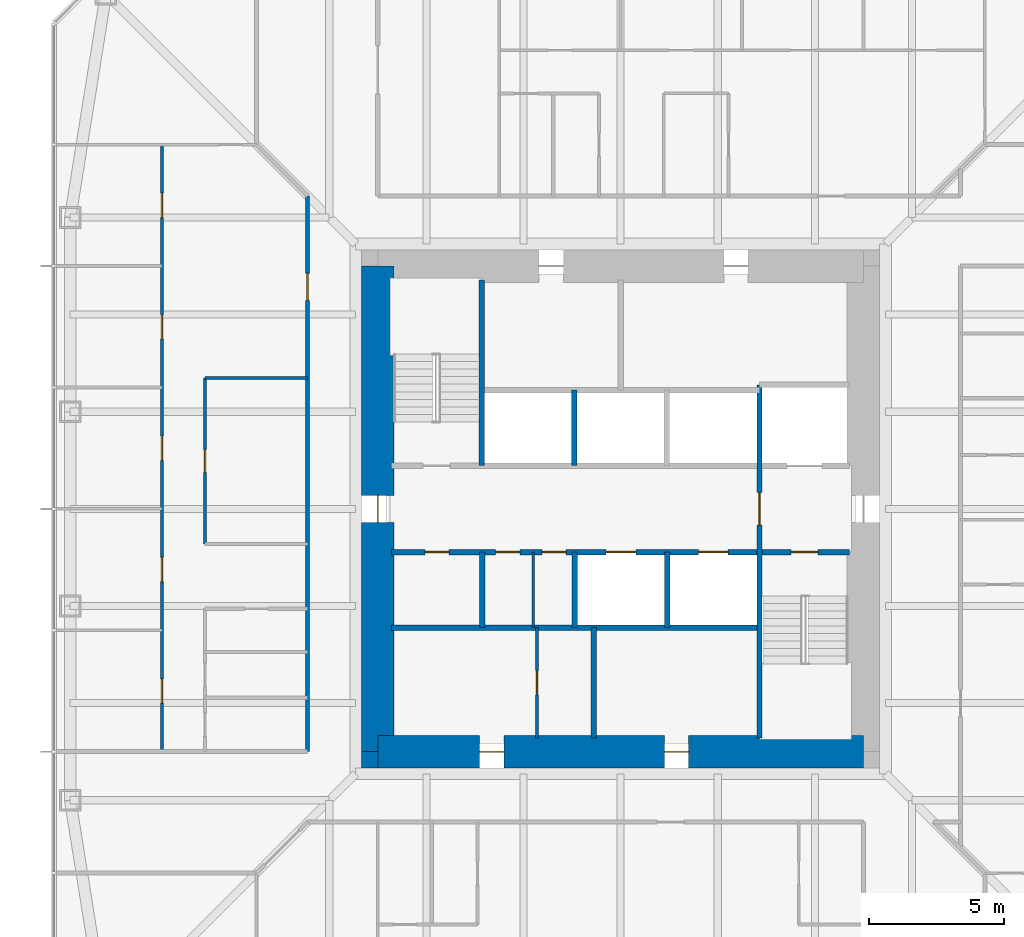
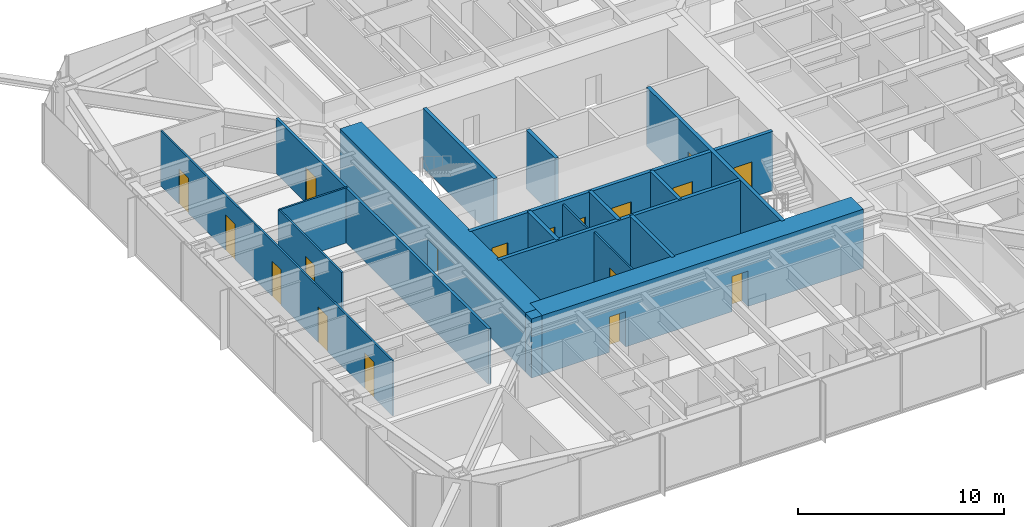
# One storey, part 16 of 27: 18 doors, 18 walls, 18 openings.
"""IFC4 building model written with IfcOpenShell, lengths in metres."""

import ifcopenshell
import ifcopenshell.guid

model = None  # the IFC model being written
_history = None  # IfcOwnerHistory: only IFC2X3 demands one
_inside = {}  # id of a spatial element -> (the spatial element, [elements in it])
_under = {}  # id of a project, library or spatial element -> (it, [spatial elements below it])
_declared = {}  # id of a project -> (the project, [libraries it declares])
_typed = {}  # id of a type object -> (the type object, [elements of that type])
_made_of = {}  # id of a material, layer set ... -> (it, [elements and type objects made of it])


def new_model(schema):
    """Start an empty IFC model of exactly this schema.

    Asked for "IFC4X3", IfcOpenShell would pick the latest addendum, in which some entities
    have other attributes; the version numbers below select the first issue.
    IFC2X3 requires an IfcOwnerHistory on every rooted entity: one is made here for all.
    """
    global model, _history
    if schema == "IFC4X3":
        model = ifcopenshell.file(schema_version=(4, 3, 0, 0))
    else:
        model = ifcopenshell.file(schema=schema)
    _inside.clear()
    _under.clear()
    _declared.clear()
    _typed.clear()
    _made_of.clear()
    _history = None
    if model.schema == "IFC2X3":
        org = make("IfcOrganization", Name="unknown")
        user = make(
            "IfcPersonAndOrganization",
            ThePerson=make("IfcPerson", FamilyName="unknown"),
            TheOrganization=org,
        )
        app = make(
            "IfcApplication",
            ApplicationDeveloper=org,
            Version="unknown",
            ApplicationFullName="unknown",
            ApplicationIdentifier="unknown",
        )
        _history = make(
            "IfcOwnerHistory",
            OwningUser=user,
            OwningApplication=app,
            ChangeAction="ADDED",
            CreationDate=0,
        )
    return model


def make(cls, **values):
    """One entity of the class cls with the attributes given. An attribute that is None is left unset."""
    return model.create_entity(
        cls, **{name: value for name, value in values.items() if value is not None}
    )


def rooted(cls, **values):
    """An entity with a GlobalId (a new one), such as an element, a storey or a relation."""
    return make(cls, GlobalId=ifcopenshell.guid.new(), OwnerHistory=_history, **values)


def si_unit(unit_type, name, prefix=None):
    """IfcSIUnit, for example si_unit("LENGTHUNIT", "METRE", prefix="MILLI")."""
    return make("IfcSIUnit", UnitType=unit_type, Prefix=prefix, Name=name)


def assignment(units):
    """IfcUnitAssignment: the units of a project."""
    return None if units is None else make("IfcUnitAssignment", Units=units)


def point(xyz):
    """IfcCartesianPoint."""
    return None if xyz is None else make("IfcCartesianPoint", Coordinates=xyz)


def direction(xyz):
    """IfcDirection."""
    return None if xyz is None else make("IfcDirection", DirectionRatios=xyz)


def frame(location, z_axis=None, x_axis=None):
    """IfcAxis2Placement3D, a coordinate frame: its origin and axes. An axis left out is left unset."""
    return make(
        "IfcAxis2Placement3D",
        Location=point(location),
        Axis=direction(z_axis),
        RefDirection=direction(x_axis),
    )


def frame_2d(location, x_axis=None):
    """IfcAxis2Placement2D, a coordinate frame in the plane: its origin and x axis."""
    return make(
        "IfcAxis2Placement2D", Location=point(location), RefDirection=direction(x_axis)
    )


def origin():
    """The frame at (0, 0, 0) with its axes left unset."""
    return frame((0.0, 0.0, 0.0))


def place(relative_to, where):
    """IfcLocalPlacement: puts the frame where relative to a parent placement (None: the world)."""
    return make(
        "IfcLocalPlacement", PlacementRelTo=relative_to, RelativePlacement=where
    )


def context(
    kind, dimensions, precision=None, world=None, true_north=None, identifier=None
):
    """IfcGeometricRepresentationContext, for example the 3D "Model" context."""
    return make(
        "IfcGeometricRepresentationContext",
        ContextIdentifier=identifier,
        ContextType=kind,
        CoordinateSpaceDimension=dimensions,
        Precision=precision,
        WorldCoordinateSystem=world,
        TrueNorth=true_north,
    )


def subcontext(parent, identifier, kind, view, scale=None):
    """IfcGeometricRepresentationSubContext, for example "Body" below "Model"."""
    return make(
        "IfcGeometricRepresentationSubContext",
        ContextIdentifier=identifier,
        ContextType=kind,
        ParentContext=parent,
        TargetScale=scale,
        TargetView=view,
    )


def project(units=None, contexts=None):
    """IfcProject with its units and contexts."""
    return rooted(
        "IfcProject",
        Name="project",
        RepresentationContexts=contexts,
        UnitsInContext=assignment(units),
    )


def spatial(cls, under=None, at=None, **own):
    """A site, building, storey or space (cls), placed at a placement, below another one or the project."""
    s = rooted(cls, ObjectPlacement=at, **own)
    if under is not None:
        _under.setdefault(under.id(), (under, []))[1].append(s)
    return s


def profile(cls, at=None, kind="AREA", **sizes):
    """A parametric profile (cls). Its sizes go by their IFC names, for example OverallWidth=200.0."""
    return make(cls, ProfileType=kind, Position=at, **sizes)


def rectangle(**sizes):
    """IfcRectangleProfileDef."""
    return profile("IfcRectangleProfileDef", **sizes)


def extrude(swept, where, along, depth):
    """IfcExtrudedAreaSolid: the profile swept, set in the frame where, extruded along a direction by depth."""
    return make(
        "IfcExtrudedAreaSolid",
        SweptArea=swept,
        Position=where,
        ExtrudedDirection=direction(along),
        Depth=depth,
    )


def shape(context_of_items, identifier, shape_type, items):
    """IfcShapeRepresentation: the items that make up one representation, for example the "Body"."""
    return make(
        "IfcShapeRepresentation",
        ContextOfItems=context_of_items,
        RepresentationIdentifier=identifier,
        RepresentationType=shape_type,
        Items=items,
    )


def material(Name=None, Category=None):
    """IfcMaterial."""
    return make("IfcMaterial", Name=Name, Category=Category)


def layer(
    of_material, thickness, ventilated=None, Name=None, Category=None, Priority=None
):
    """IfcMaterialLayer: one layer of a wall or slab, of a material (None: an air gap)."""
    return make(
        "IfcMaterialLayer",
        Material=of_material,
        LayerThickness=thickness,
        IsVentilated=ventilated,
        Name=Name,
        Category=Category,
        Priority=Priority,
    )


def layer_set(layers, Name=None):
    """IfcMaterialLayerSet."""
    return make("IfcMaterialLayerSet", MaterialLayers=layers, LayerSetName=Name)


def made_of(thing, what):
    """Note that an element or type object is made of a material, layer set ...; save() writes the relation."""
    if what is not None:
        _made_of.setdefault(what.id(), (what, []))[1].append(thing)
    return thing


def type_object(cls, material=None, **own):
    """A type object (cls), such as IfcWallType, which elements share."""
    return made_of(rooted(cls, **own), material)


def element(
    cls,
    number,
    at=None,
    inside=None,
    cuts=None,
    type_object=None,
    material=None,
    context=None,
    identifier="Body",
    shape_type=None,
    held_by="IfcProductDefinitionShape",
    body=None,
    shapes=None,
    **own,
):
    """One element of the class cls, such as IfcWall. Its Tag is "e" and its number.

    at: its placement. inside: the storey or other place that contains it. cuts: it is an
    opening in that element (IfcRelVoidsElement). A single representation is given by context,
    identifier, shape_type and body (its items); several are given by shapes. held_by: the class
    of the entity that holds the representations. save() writes the other relations.
    """
    e = rooted(cls, Tag="e%d" % number, ObjectPlacement=at, **own)
    if body is not None:
        shapes = [shape(context, identifier, shape_type, body)]
    if shapes is not None:
        e.Representation = make(held_by, Representations=shapes)
    if inside is not None:
        _inside.setdefault(inside.id(), (inside, []))[1].append(e)
    if cuts is not None:
        rooted(
            "IfcRelVoidsElement", RelatingBuildingElement=cuts, RelatedOpeningElement=e
        )
    if type_object is not None:
        _typed.setdefault(type_object.id(), (type_object, []))[1].append(e)
    return made_of(e, material)


def fill(opening, filler):
    """IfcRelFillsElement: the door or window that sits in an opening."""
    return rooted(
        "IfcRelFillsElement",
        RelatingOpeningElement=opening,
        RelatedBuildingElement=filler,
    )


def aggregate(whole, parts):
    """IfcRelAggregates: a whole, such as a stair, and the parts it consists of."""
    return rooted("IfcRelAggregates", RelatingObject=whole, RelatedObjects=parts)


def save(model, path):
    """Write the relations noted so far, then the file.

    IfcRelAggregates (storeys below a building ...), IfcRelContainedInSpatialStructure (elements
    in a storey), IfcRelDefinesByType, IfcRelAssociatesMaterial and IfcRelDeclares: one each for
    every whole, place, type object, material and project.
    """
    for whole, parts in _under.values():
        aggregate(whole, parts)
    for where, things in _inside.values():
        rooted(
            "IfcRelContainedInSpatialStructure",
            RelatedElements=things,
            RelatingStructure=where,
        )
    for kind, things in _typed.values():
        rooted("IfcRelDefinesByType", RelatedObjects=things, RelatingType=kind)
    for what, things in _made_of.values():
        rooted("IfcRelAssociatesMaterial", RelatedObjects=things, RelatingMaterial=what)
    for by, libraries in _declared.values():
        rooted("IfcRelDeclares", RelatingContext=by, RelatedDefinitions=libraries)
    model.write(path)


model = new_model("IFC4")

# Units and contexts
model_context = context("Model", 3, precision=1e-05, world=origin(), true_north=direction((0.0, 1.0)))
body_context = subcontext(model_context, "Body", "Model", "MODEL_VIEW")
ifc_project = project(units=[si_unit("LENGTHUNIT", "METRE"), si_unit("AREAUNIT", "SQUARE_METRE"), si_unit("VOLUMEUNIT", "CUBIC_METRE"), si_unit("PLANEANGLEUNIT", "RADIAN"), si_unit("MASSUNIT", "GRAM", prefix="KILO")], contexts=[model_context])

# Site, building, storey
site_placement = place(None, origin())
site = spatial("IfcSite", under=ifc_project, at=site_placement, CompositionType="ELEMENT")
building_placement = place(site_placement, origin())
building = spatial("IfcBuilding", under=site, at=building_placement, Name="Iwan Alto Co-Living Towers", CompositionType="ELEMENT")
storey_placement = place(building_placement, frame((0.0, 0.0, 94.5)))
storey = spatial("IfcBuildingStorey", under=building, at=storey_placement, Name="L25", CompositionType="ELEMENT", Elevation=94.5)

# Wall, opening, door
ifc_material_1 = material(Name="Gypsum board")
ifc_layer_1 = layer(ifc_material_1, 0.02490234375, Name="Board", Category="Finish")
ifc_material_2 = material(Name="Steel ASTM A1003 ST33H cold-formed studs", Category="steel")
ifc_layer_2 = layer(ifc_material_2, 0.10009765625, Name="Studs", Category="Framing")
ifc_layer_3 = layer(ifc_material_1, 0.02490234375, Name="Board", Category="Finish")
ifc_layer_set_1 = layer_set([ifc_layer_1, ifc_layer_2, ifc_layer_3], Name="CORRIDOR WALL 150")
wall_type_1 = type_object("IfcWallType", Name="CORRIDOR WALL 150", PredefinedType="PARTITIONING", material=ifc_layer_set_1)
wall_1_placement = place(storey_placement, frame((-11.60009765625, -9.0, 0.0), z_axis=(0.0, 0.0, 1.0), x_axis=(0.0, 1.0, 0.0)))
wall_1 = element("IfcWall", 1, at=wall_1_placement, inside=storey, type_object=wall_type_1, Name="Partition L25", PredefinedType="PARTITIONING", context=body_context, shape_type="SweptSolid", body=[
    extrude(rectangle(XDim=20.60009765625, YDim=0.14990234375, at=frame_2d((10.300048828125, 0.0))), origin(), (0.0, 0.0, 1.0), 3.27001953125),
])
opening_1_placement = place(wall_1_placement, frame((16.72509765625, 0.0, 0.0)))
opening_1 = element("IfcOpeningElement", 2, at=opening_1_placement, cuts=wall_1, Name="Opening D3", PredefinedType="OPENING", context=body_context, shape_type="SweptSolid", body=[
    extrude(rectangle(XDim=1.0, YDim=2.10009765625, at=frame_2d((0.5, 1.050048828125))), frame((0.0, 0.0849609375, 0.0), z_axis=(0.0, -1.0, 0.0), x_axis=(1.0, 0.0, 0.0)), (0.0, 0.0, 1.0), 0.169921875),
])
ifc_material_3 = material(Name="Steel frame with timber leaf", Category="steel")
door_type_1 = type_object("IfcDoorType", Name="FLAT ENTRANCE DOOR FD30S 1000X2100", OperationType="SINGLE_SWING_LEFT", PredefinedType="DOOR", material=ifc_material_3)
door_1_placement = place(opening_1_placement, origin())
door_1 = element("IfcDoor", 3, at=door_1_placement, inside=storey, type_object=door_type_1, Name="Cluster lounge door L25", OperationType="SINGLE_SWING_LEFT", OverallHeight=2.10009765625, OverallWidth=1.0, PredefinedType="DOOR", context=body_context, shape_type="SweptSolid", body=[
    extrude(rectangle(XDim=1.0, YDim=2.10009765625, at=frame_2d((0.5, 1.050048828125))), frame((0.0, 0.02490234375, 0.0), z_axis=(0.0, -1.0, 0.0), x_axis=(1.0, 0.0, 0.0)), (0.0, 0.0, 1.0), 0.050048828125),
])
fill(opening_1, door_1)

# Wall
ifc_layer_4 = layer(ifc_material_1, 0.012451171875, Name="Board", Category="Finish")
ifc_layer_5 = layer(ifc_material_2, 0.074951171875, Name="Studs", Category="Framing")
ifc_layer_6 = layer(ifc_material_1, 0.012451171875, Name="Board", Category="Finish")
ifc_layer_set_2 = layer_set([ifc_layer_4, ifc_layer_5, ifc_layer_6], Name="PARTITION 100")
wall_type_2 = type_object("IfcWallType", Name="PARTITION 100", PredefinedType="PARTITIONING", material=ifc_layer_set_2)
wall_2_placement = place(storey_placement, frame((-15.39990234375, 4.85009765625, 0.0), z_axis=(0.0, 0.0, 1.0), x_axis=(1.0, 0.0, 0.0)))
element("IfcWall", 4, at=wall_2_placement, inside=storey, type_object=wall_type_2, Name="Partition L25", PredefinedType="PARTITIONING", context=body_context, shape_type="SweptSolid", body=[
    extrude(rectangle(XDim=3.7998046875, YDim=0.10009765625, at=frame_2d((1.89990234375, 0.0))), origin(), (0.0, 0.0, 1.0), 3.27001953125),
])

# Wall, opening, door
wall_3_placement = place(storey_placement, frame((-3.10009765625, -8.489990234375, 0.0), z_axis=(0.0, 0.0, 1.0), x_axis=(0.0, 1.0, 0.0)))
wall_3 = element("IfcWall", 5, at=wall_3_placement, inside=storey, type_object=wall_type_2, Name="Partition L25", PredefinedType="PARTITIONING", context=body_context, shape_type="SweptSolid", body=[
    extrude(rectangle(XDim=4.090087890625, YDim=0.10009765625, at=frame_2d((2.044921875, 0.0))), origin(), (0.0, 0.0, 1.0), 3.300048828125),
])
opening_2_placement = place(wall_3_placement, frame((1.594970703125, 0.0, 0.0)))
opening_2 = element("IfcOpeningElement", 6, at=opening_2_placement, cuts=wall_3, Name="Opening D16", PredefinedType="OPENING", context=body_context, shape_type="SweptSolid", body=[
    extrude(rectangle(XDim=0.89990234375, YDim=2.10009765625, at=frame_2d((0.449951171875, 1.050048828125))), frame((0.0, 0.06005859375, 0.0), z_axis=(0.0, -1.0, 0.0), x_axis=(1.0, 0.0, 0.0)), (0.0, 0.0, 1.0), 0.1201171875),
])
ifc_material_4 = material(Name="Timber leaf in steel frame", Category="steel")
door_type_2 = type_object("IfcDoorType", Name="CUPBOARD SLIDING DOOR 900X2100", OperationType="SLIDING_TO_LEFT", PredefinedType="DOOR", material=ifc_material_4)
door_2_placement = place(opening_2_placement, origin())
door_2 = element("IfcDoor", 7, at=door_2_placement, inside=storey, type_object=door_type_2, Name="Bin store door L25", OperationType="SLIDING_TO_LEFT", OverallHeight=2.10009765625, OverallWidth=0.89990234375, PredefinedType="DOOR", context=body_context, shape_type="SweptSolid", body=[
    extrude(rectangle(XDim=0.89990234375, YDim=2.10009765625, at=frame_2d((0.449951171875, 1.050048828125))), frame((0.0, 0.02490234375, 0.0), z_axis=(0.0, -1.0, 0.0), x_axis=(1.0, 0.0, 0.0)), (0.0, 0.0, 1.0), 0.050048828125),
])
fill(opening_2, door_2)

# Wall
wall_4_placement = place(storey_placement, frame((-3.240966796875, -4.39990234375, 0.0), z_axis=(0.0, 0.0, 1.0), x_axis=(0.0, 1.0, 0.0)))
element("IfcWall", 8, at=wall_4_placement, inside=storey, type_object=wall_type_2, Name="Partition L25", PredefinedType="PARTITIONING", context=body_context, shape_type="SweptSolid", body=[
    extrude(rectangle(XDim=2.7998046875, YDim=0.10009765625, at=frame_2d((1.39990234375, 0.0))), origin(), (0.0, 0.0, 1.0), 3.300048828125),
])

# Wall, opening, door
wall_5_placement = place(storey_placement, frame((-15.39990234375, -1.300048828125, 0.0), z_axis=(0.0, 0.0, 1.0), x_axis=(0.0, 1.0, 0.0)))
wall_5 = element("IfcWall", 9, at=wall_5_placement, inside=storey, type_object=wall_type_2, Name="Partition L25", PredefinedType="PARTITIONING", context=body_context, shape_type="SweptSolid", body=[
    extrude(rectangle(XDim=6.150146484375, YDim=0.10009765625, at=frame_2d((3.0751953125, 0.0))), origin(), (0.0, 0.0, 1.0), 3.27001953125),
])
opening_3_placement = place(wall_5_placement, frame((2.64990234375, 0.0, 0.0)))
opening_3 = element("IfcOpeningElement", 10, at=opening_3_placement, cuts=wall_5, Name="Opening D2", PredefinedType="OPENING", context=body_context, shape_type="SweptSolid", body=[
    extrude(rectangle(XDim=0.85009765625, YDim=2.10009765625, at=frame_2d((0.425048828125, 1.050048828125))), frame((0.0, 0.06005859375, 0.0), z_axis=(0.0, -1.0, 0.0), x_axis=(1.0, 0.0, 0.0)), (0.0, 0.0, 1.0), 0.1201171875),
])
ifc_material_5 = material(Name="Timber leaf in steel frame", Category="steel")
door_type_3 = type_object("IfcDoorType", Name="ROOM DOOR 850X2100", OperationType="SINGLE_SWING_LEFT", PredefinedType="DOOR", material=ifc_material_5)
door_3_placement = place(opening_3_placement, origin())
door_3 = element("IfcDoor", 11, at=door_3_placement, inside=storey, type_object=door_type_3, Name="Study room door L25", OperationType="SINGLE_SWING_LEFT", OverallHeight=2.10009765625, OverallWidth=0.85009765625, PredefinedType="DOOR", context=body_context, shape_type="SweptSolid", body=[
    extrude(rectangle(XDim=0.85009765625, YDim=2.10009765625, at=frame_2d((0.425048828125, 1.050048828125))), frame((0.0, 0.02490234375, 0.0), z_axis=(0.0, -1.0, 0.0), x_axis=(1.0, 0.0, 0.0)), (0.0, 0.0, 1.0), 0.050048828125),
])
fill(opening_3, door_3)

# Wall, openings, doors
wall_6_placement = place(storey_placement, frame((-17.0, -9.0, 0.0), z_axis=(0.0, 0.0, 1.0), x_axis=(0.0, 1.0, 0.0)))
wall_6 = element("IfcWall", 12, at=wall_6_placement, inside=storey, type_object=wall_type_2, Name="Partition L25", PredefinedType="PARTITIONING", context=body_context, shape_type="SweptSolid", body=[
    extrude(rectangle(XDim=22.5, YDim=0.10009765625, at=frame_2d((11.25, 0.0))), origin(), (0.0, 0.0, 1.0), 3.27001953125),
])
opening_4_placement = place(wall_6_placement, frame((19.800048828125, 0.0, 0.0)))
opening_4 = element("IfcOpeningElement", 13, at=opening_4_placement, cuts=wall_6, Name="Opening D1", PredefinedType="OPENING", context=body_context, shape_type="SweptSolid", body=[
    extrude(rectangle(XDim=0.89990234375, YDim=2.10009765625, at=frame_2d((0.449951171875, 1.050048828125))), frame((0.0, 0.06005859375, 0.0), z_axis=(0.0, -1.0, 0.0), x_axis=(1.0, 0.0, 0.0)), (0.0, 0.0, 1.0), 0.1201171875),
])
opening_5_placement = place(wall_6_placement, frame((15.300048828125, 0.0, 0.0)))
opening_5 = element("IfcOpeningElement", 14, at=opening_5_placement, cuts=wall_6, Name="Opening D1", PredefinedType="OPENING", context=body_context, shape_type="SweptSolid", body=[
    extrude(rectangle(XDim=0.89990234375, YDim=2.10009765625, at=frame_2d((0.449951171875, 1.050048828125))), frame((0.0, 0.06005859375, 0.0), z_axis=(0.0, -1.0, 0.0), x_axis=(1.0, 0.0, 0.0)), (0.0, 0.0, 1.0), 0.1201171875),
])
opening_6_placement = place(wall_6_placement, frame((10.800048828125, 0.0, 0.0)))
opening_6 = element("IfcOpeningElement", 15, at=opening_6_placement, cuts=wall_6, Name="Opening D1", PredefinedType="OPENING", context=body_context, shape_type="SweptSolid", body=[
    extrude(rectangle(XDim=0.89990234375, YDim=2.10009765625, at=frame_2d((0.449951171875, 1.050048828125))), frame((0.0, 0.06005859375, 0.0), z_axis=(0.0, -1.0, 0.0), x_axis=(1.0, 0.0, 0.0)), (0.0, 0.0, 1.0), 0.1201171875),
])
opening_7_placement = place(wall_6_placement, frame((6.300048828125, 0.0, 0.0)))
opening_7 = element("IfcOpeningElement", 16, at=opening_7_placement, cuts=wall_6, Name="Opening D1", PredefinedType="OPENING", context=body_context, shape_type="SweptSolid", body=[
    extrude(rectangle(XDim=0.89990234375, YDim=2.10009765625, at=frame_2d((0.449951171875, 1.050048828125))), frame((0.0, 0.06005859375, 0.0), z_axis=(0.0, -1.0, 0.0), x_axis=(1.0, 0.0, 0.0)), (0.0, 0.0, 1.0), 0.1201171875),
])
opening_8_placement = place(wall_6_placement, frame((1.800048828125, 0.0, 0.0)))
opening_8 = element("IfcOpeningElement", 17, at=opening_8_placement, cuts=wall_6, Name="Opening D1", PredefinedType="OPENING", context=body_context, shape_type="SweptSolid", body=[
    extrude(rectangle(XDim=0.89990234375, YDim=2.10009765625, at=frame_2d((0.449951171875, 1.050048828125))), frame((0.0, 0.06005859375, 0.0), z_axis=(0.0, -1.0, 0.0), x_axis=(1.0, 0.0, 0.0)), (0.0, 0.0, 1.0), 0.1201171875),
])
ifc_material_6 = material(Name="Timber leaf in steel frame", Category="steel")
door_type_4 = type_object("IfcDoorType", Name="BEDROOM DOOR 900X2100", OperationType="SINGLE_SWING_LEFT", PredefinedType="DOOR", material=ifc_material_6)
door_4_placement = place(opening_4_placement, frame((0.89990234375, 0.0, 0.0), z_axis=(0.0, 0.0, 1.0), x_axis=(-1.0, 0.0, 0.0)))
door_4 = element("IfcDoor", 18, at=door_4_placement, inside=storey, type_object=door_type_4, Name="Study bedroom door L25", OperationType="SINGLE_SWING_LEFT", OverallHeight=2.10009765625, OverallWidth=0.89990234375, PredefinedType="DOOR", context=body_context, shape_type="SweptSolid", body=[
    extrude(rectangle(XDim=0.89990234375, YDim=2.10009765625, at=frame_2d((0.449951171875, 1.050048828125))), frame((0.0, 0.02490234375, 0.0), z_axis=(0.0, -1.0, 0.0), x_axis=(1.0, 0.0, 0.0)), (0.0, 0.0, 1.0), 0.050048828125),
])
fill(opening_4, door_4)
door_5_placement = place(opening_5_placement, frame((0.89990234375, 0.0, 0.0), z_axis=(0.0, 0.0, 1.0), x_axis=(-1.0, 0.0, 0.0)))
door_5 = element("IfcDoor", 19, at=door_5_placement, inside=storey, type_object=door_type_4, Name="Study bedroom door L25", OperationType="SINGLE_SWING_LEFT", OverallHeight=2.10009765625, OverallWidth=0.89990234375, PredefinedType="DOOR", context=body_context, shape_type="SweptSolid", body=[
    extrude(rectangle(XDim=0.89990234375, YDim=2.10009765625, at=frame_2d((0.449951171875, 1.050048828125))), frame((0.0, 0.02490234375, 0.0), z_axis=(0.0, -1.0, 0.0), x_axis=(1.0, 0.0, 0.0)), (0.0, 0.0, 1.0), 0.050048828125),
])
fill(opening_5, door_5)
door_6_placement = place(opening_6_placement, frame((0.89990234375, 0.0, 0.0), z_axis=(0.0, 0.0, 1.0), x_axis=(-1.0, 0.0, 0.0)))
door_6 = element("IfcDoor", 20, at=door_6_placement, inside=storey, type_object=door_type_4, Name="Study bedroom door L25", OperationType="SINGLE_SWING_RIGHT", OverallHeight=2.10009765625, OverallWidth=0.89990234375, PredefinedType="DOOR", context=body_context, shape_type="SweptSolid", body=[
    extrude(rectangle(XDim=0.89990234375, YDim=2.10009765625, at=frame_2d((0.449951171875, 1.050048828125))), frame((0.0, 0.02490234375, 0.0), z_axis=(0.0, -1.0, 0.0), x_axis=(1.0, 0.0, 0.0)), (0.0, 0.0, 1.0), 0.050048828125),
])
fill(opening_6, door_6)
door_7_placement = place(opening_7_placement, frame((0.89990234375, 0.0, 0.0), z_axis=(0.0, 0.0, 1.0), x_axis=(-1.0, 0.0, 0.0)))
door_7 = element("IfcDoor", 21, at=door_7_placement, inside=storey, type_object=door_type_4, Name="Study bedroom door L25", OperationType="SINGLE_SWING_RIGHT", OverallHeight=2.10009765625, OverallWidth=0.89990234375, PredefinedType="DOOR", context=body_context, shape_type="SweptSolid", body=[
    extrude(rectangle(XDim=0.89990234375, YDim=2.10009765625, at=frame_2d((0.449951171875, 1.050048828125))), frame((0.0, 0.02490234375, 0.0), z_axis=(0.0, -1.0, 0.0), x_axis=(1.0, 0.0, 0.0)), (0.0, 0.0, 1.0), 0.050048828125),
])
fill(opening_7, door_7)
door_8_placement = place(opening_8_placement, frame((0.89990234375, 0.0, 0.0), z_axis=(0.0, 0.0, 1.0), x_axis=(-1.0, 0.0, 0.0)))
door_8 = element("IfcDoor", 22, at=door_8_placement, inside=storey, type_object=door_type_4, Name="Study bedroom door L25", OperationType="SINGLE_SWING_RIGHT", OverallHeight=2.10009765625, OverallWidth=0.89990234375, PredefinedType="DOOR", context=body_context, shape_type="SweptSolid", body=[
    extrude(rectangle(XDim=0.89990234375, YDim=2.10009765625, at=frame_2d((0.449951171875, 1.050048828125))), frame((0.0, 0.02490234375, 0.0), z_axis=(0.0, -1.0, 0.0), x_axis=(1.0, 0.0, 0.0)), (0.0, 0.0, 1.0), 0.050048828125),
])
fill(opening_8, door_8)

# Wall
ifc_material_7 = material(Name="Concrete f'c 70 MPa", Category="concrete")
ifc_layer_7 = layer(ifc_material_7, 0.199951171875)
ifc_layer_set_3 = layer_set([ifc_layer_7], Name="SHAFT WALL 200")
wall_type_3 = type_object("IfcWallType", Name="SHAFT WALL 200", PredefinedType="SOLIDWALL", material=ifc_layer_set_3)
wall_7_placement = place(storey_placement, frame((-8.489990234375, -4.39990234375, 0.0), z_axis=(0.0, 0.0, 1.0), x_axis=(1.0, 0.0, 0.0)))
element("IfcWall", 23, at=wall_7_placement, inside=storey, type_object=wall_type_3, Name="Shaft wall L25", PredefinedType="SOLIDWALL", context=body_context, shape_type="SweptSolid", body=[
    extrude(rectangle(XDim=13.639892578125, YDim=0.199951171875, at=frame_2d((6.81982421875, 0.0))), origin(), (0.0, 0.0, 1.0), 3.5),
])

# Wall, openings, doors
wall_8_placement = place(storey_placement, frame((-8.489990234375, -1.60009765625, 0.0), z_axis=(0.0, 0.0, 1.0), x_axis=(1.0, 0.0, 0.0)))
wall_8 = element("IfcWall", 24, at=wall_8_placement, inside=storey, type_object=wall_type_3, Name="Shaft wall L25", PredefinedType="SOLIDWALL", context=body_context, shape_type="SweptSolid", body=[
    extrude(rectangle(XDim=16.97998046875, YDim=0.199951171875, at=frame_2d((8.489990234375, 0.0))), origin(), (0.0, 0.0, 1.0), 3.5),
])
opening_9_placement = place(wall_8_placement, frame((14.81005859375, 0.0, 0.0)))
opening_9 = element("IfcOpeningElement", 25, at=opening_9_placement, cuts=wall_8, Name="Opening D5", PredefinedType="OPENING", context=body_context, shape_type="SweptSolid", body=[
    extrude(rectangle(XDim=1.0, YDim=2.10009765625, at=frame_2d((0.5, 1.050048828125))), frame((0.0, 0.10986328125, 0.0), z_axis=(0.0, -1.0, 0.0), x_axis=(1.0, 0.0, 0.0)), (0.0, 0.0, 1.0), 0.219970703125),
])
opening_10_placement = place(wall_8_placement, frame((1.23193359375, 0.0, 0.0)))
opening_10 = element("IfcOpeningElement", 26, at=opening_10_placement, cuts=wall_8, Name="Opening D15", PredefinedType="OPENING", context=body_context, shape_type="SweptSolid", body=[
    extrude(rectangle(XDim=0.89990234375, YDim=2.10009765625, at=frame_2d((0.449951171875, 1.050048828125))), frame((0.0, 0.10986328125, 0.0), z_axis=(0.0, -1.0, 0.0), x_axis=(1.0, 0.0, 0.0)), (0.0, 0.0, 1.0), 0.219970703125),
])
opening_11_placement = place(wall_8_placement, frame((5.570068359375, 0.0, 0.0)))
opening_11 = element("IfcOpeningElement", 27, at=opening_11_placement, cuts=wall_8, Name="Opening D15", PredefinedType="OPENING", context=body_context, shape_type="SweptSolid", body=[
    extrude(rectangle(XDim=0.89990234375, YDim=2.10009765625, at=frame_2d((0.449951171875, 1.050048828125))), frame((0.0, 0.10986328125, 0.0), z_axis=(0.0, -1.0, 0.0), x_axis=(1.0, 0.0, 0.0)), (0.0, 0.0, 1.0), 0.219970703125),
])
opening_12_placement = place(wall_8_placement, frame((3.85693359375, 0.0, 0.0)))
opening_12 = element("IfcOpeningElement", 28, at=opening_12_placement, cuts=wall_8, Name="Opening D15", PredefinedType="OPENING", context=body_context, shape_type="SweptSolid", body=[
    extrude(rectangle(XDim=0.89990234375, YDim=2.10009765625, at=frame_2d((0.449951171875, 1.050048828125))), frame((0.0, 0.10986328125, 0.0), z_axis=(0.0, -1.0, 0.0), x_axis=(1.0, 0.0, 0.0)), (0.0, 0.0, 1.0), 0.219970703125),
])
opening_13_placement = place(wall_8_placement, frame((7.952880859375, 0.0, 0.0)))
opening_13 = element("IfcOpeningElement", 29, at=opening_13_placement, cuts=wall_8, Name="Opening LD", PredefinedType="OPENING", context=body_context, shape_type="SweptSolid", body=[
    extrude(rectangle(XDim=1.10009765625, YDim=2.10009765625, at=frame_2d((0.550048828125, 1.050048828125))), frame((0.0, 0.10986328125, 0.0), z_axis=(0.0, -1.0, 0.0), x_axis=(1.0, 0.0, 0.0)), (0.0, 0.0, 1.0), 0.219970703125),
])
opening_14_placement = place(wall_8_placement, frame((11.3779296875, 0.0, 0.0)))
opening_14 = element("IfcOpeningElement", 30, at=opening_14_placement, cuts=wall_8, Name="Opening LD", PredefinedType="OPENING", context=body_context, shape_type="SweptSolid", body=[
    extrude(rectangle(XDim=1.10009765625, YDim=2.10009765625, at=frame_2d((0.550048828125, 1.050048828125))), frame((0.0, 0.10986328125, 0.0), z_axis=(0.0, -1.0, 0.0), x_axis=(1.0, 0.0, 0.0)), (0.0, 0.0, 1.0), 0.219970703125),
])
ifc_material_8 = material(Name="Steel frame with timber leaf", Category="steel")
door_type_5 = type_object("IfcDoorType", Name="CORE ROOM DOOR FD60S 900X2100", OperationType="SINGLE_SWING_LEFT", PredefinedType="DOOR", material=ifc_material_8)
door_9_placement = place(opening_10_placement, frame((0.89990234375, 0.0, 0.0), z_axis=(0.0, 0.0, 1.0), x_axis=(-1.0, 0.0, 0.0)))
door_9 = element("IfcDoor", 31, at=door_9_placement, inside=storey, type_object=door_type_5, Name="Linen store door L25", OperationType="SINGLE_SWING_LEFT", OverallHeight=2.10009765625, OverallWidth=0.89990234375, PredefinedType="DOOR", context=body_context, shape_type="SweptSolid", body=[
    extrude(rectangle(XDim=0.89990234375, YDim=2.10009765625, at=frame_2d((0.449951171875, 1.050048828125))), frame((0.0, 0.02490234375, 0.0), z_axis=(0.0, -1.0, 0.0), x_axis=(1.0, 0.0, 0.0)), (0.0, 0.0, 1.0), 0.050048828125),
])
fill(opening_10, door_9)
door_10_placement = place(opening_11_placement, frame((0.89990234375, 0.0, 0.0), z_axis=(0.0, 0.0, 1.0), x_axis=(-1.0, 0.0, 0.0)))
door_10 = element("IfcDoor", 32, at=door_10_placement, inside=storey, type_object=door_type_5, Name="Cleaner's store door L25", OperationType="SINGLE_SWING_RIGHT", OverallHeight=2.10009765625, OverallWidth=0.89990234375, PredefinedType="DOOR", context=body_context, shape_type="SweptSolid", body=[
    extrude(rectangle(XDim=0.89990234375, YDim=2.10009765625, at=frame_2d((0.449951171875, 1.050048828125))), frame((0.0, 0.02490234375, 0.0), z_axis=(0.0, -1.0, 0.0), x_axis=(1.0, 0.0, 0.0)), (0.0, 0.0, 1.0), 0.050048828125),
])
fill(opening_11, door_10)
door_11_placement = place(opening_12_placement, frame((0.89990234375, 0.0, 0.0), z_axis=(0.0, 0.0, 1.0), x_axis=(-1.0, 0.0, 0.0)))
door_11 = element("IfcDoor", 33, at=door_11_placement, inside=storey, type_object=door_type_5, Name="Bulk store door L25", OperationType="SINGLE_SWING_RIGHT", OverallHeight=2.10009765625, OverallWidth=0.89990234375, PredefinedType="DOOR", context=body_context, shape_type="SweptSolid", body=[
    extrude(rectangle(XDim=0.89990234375, YDim=2.10009765625, at=frame_2d((0.449951171875, 1.050048828125))), frame((0.0, 0.02490234375, 0.0), z_axis=(0.0, -1.0, 0.0), x_axis=(1.0, 0.0, 0.0)), (0.0, 0.0, 1.0), 0.050048828125),
])
fill(opening_12, door_11)
ifc_material_9 = material(Name="Steel frame with timber leaf", Category="steel")
door_type_6 = type_object("IfcDoorType", Name="LIFT LANDING DOOR 1100X2100", OperationType="DOUBLE_DOOR_SLIDING", PredefinedType="DOOR", material=ifc_material_9)
door_12_placement = place(opening_13_placement, origin())
door_12 = element("IfcDoor", 34, at=door_12_placement, inside=storey, type_object=door_type_6, Name="Lift P2-3 landing door L25", OperationType="DOUBLE_DOOR_SLIDING", OverallHeight=2.10009765625, OverallWidth=1.10009765625, PredefinedType="DOOR", context=body_context, shape_type="SweptSolid", body=[
    extrude(rectangle(XDim=1.10009765625, YDim=2.10009765625, at=frame_2d((0.550048828125, 1.050048828125))), frame((0.0, 0.02490234375, 0.0), z_axis=(0.0, -1.0, 0.0), x_axis=(1.0, 0.0, 0.0)), (0.0, 0.0, 1.0), 0.050048828125),
])
fill(opening_13, door_12)
door_13_placement = place(opening_14_placement, origin())
door_13 = element("IfcDoor", 35, at=door_13_placement, inside=storey, type_object=door_type_6, Name="Lift P2-4 landing door L25", OperationType="DOUBLE_DOOR_SLIDING", OverallHeight=2.10009765625, OverallWidth=1.10009765625, PredefinedType="DOOR", context=body_context, shape_type="SweptSolid", body=[
    extrude(rectangle(XDim=1.10009765625, YDim=2.10009765625, at=frame_2d((0.550048828125, 1.050048828125))), frame((0.0, 0.02490234375, 0.0), z_axis=(0.0, -1.0, 0.0), x_axis=(1.0, 0.0, 0.0)), (0.0, 0.0, 1.0), 0.050048828125),
])
fill(opening_14, door_13)
ifc_material_10 = material(Name="Steel frame with timber leaf", Category="steel")
door_type_7 = type_object("IfcDoorType", Name="STAIR DOOR FD120S 1000X2100", OperationType="SINGLE_SWING_LEFT", PredefinedType="DOOR", material=ifc_material_10)
door_14_placement = place(opening_9_placement, frame((1.0, 0.0, 0.0), z_axis=(0.0, 0.0, 1.0), x_axis=(-1.0, 0.0, 0.0)))
door_14 = element("IfcDoor", 36, at=door_14_placement, inside=storey, type_object=door_type_7, Name="Stair S2 door L25", OperationType="SINGLE_SWING_RIGHT", OverallHeight=2.10009765625, OverallWidth=1.0, PredefinedType="DOOR", context=body_context, shape_type="SweptSolid", body=[
    extrude(rectangle(XDim=1.0, YDim=2.10009765625, at=frame_2d((0.5, 1.050048828125))), frame((0.0, 0.02490234375, 0.0), z_axis=(0.0, -1.0, 0.0), x_axis=(1.0, 0.0, 0.0)), (0.0, 0.0, 1.0), 0.050048828125),
])
fill(opening_9, door_14)

# Wall, opening, door
wall_9_placement = place(storey_placement, frame((5.14990234375, -8.489990234375, 0.0), z_axis=(0.0, 0.0, 1.0), x_axis=(0.0, 1.0, 0.0)))
wall_9 = element("IfcWall", 37, at=wall_9_placement, inside=storey, type_object=wall_type_3, Name="Shaft wall L25", PredefinedType="SOLIDWALL", context=body_context, shape_type="SweptSolid", body=[
    extrude(rectangle(XDim=13.090087890625, YDim=0.199951171875, at=frame_2d((6.544921875, 0.0))), origin(), (0.0, 0.0, 1.0), 3.5),
])
opening_15_placement = place(wall_9_placement, frame((7.889892578125, 0.0, 0.0)))
opening_15 = element("IfcOpeningElement", 38, at=opening_15_placement, cuts=wall_9, Name="Opening D6", PredefinedType="OPENING", context=body_context, shape_type="SweptSolid", body=[
    extrude(rectangle(XDim=1.199951171875, YDim=2.10009765625, at=frame_2d((0.60009765625, 1.050048828125))), frame((0.0, 0.10986328125, 0.0), z_axis=(0.0, -1.0, 0.0), x_axis=(1.0, 0.0, 0.0)), (0.0, 0.0, 1.0), 0.219970703125),
])
ifc_material_11 = material(Name="Steel frame with timber leaf", Category="steel")
door_type_8 = type_object("IfcDoorType", Name="LOBBY DOOR FD120S 1200X2100", OperationType="SINGLE_SWING_LEFT", PredefinedType="DOOR", material=ifc_material_11)
door_15_placement = place(opening_15_placement, frame((1.199951171875, 0.0, 0.0), z_axis=(0.0, 0.0, 1.0), x_axis=(-1.0, 0.0, 0.0)))
door_15 = element("IfcDoor", 39, at=door_15_placement, inside=storey, type_object=door_type_8, Name="Firefighting lobby door L25", OperationType="SINGLE_SWING_RIGHT", OverallHeight=2.10009765625, OverallWidth=1.199951171875, PredefinedType="DOOR", context=body_context, shape_type="SweptSolid", body=[
    extrude(rectangle(XDim=1.199951171875, YDim=2.10009765625, at=frame_2d((0.60009765625, 1.050048828125))), frame((0.0, 0.02490234375, 0.0), z_axis=(0.0, -1.0, 0.0), x_axis=(1.0, 0.0, 0.0)), (0.0, 0.0, 1.0), 0.050048828125),
])
fill(opening_15, door_15)

# Walls
wall_10_placement = place(storey_placement, frame((1.72509765625, -4.39990234375, 0.0), z_axis=(0.0, 0.0, 1.0), x_axis=(0.0, 1.0, 0.0)))
element("IfcWall", 40, at=wall_10_placement, inside=storey, type_object=wall_type_3, Name="Shaft wall L25", PredefinedType="SOLIDWALL", context=body_context, shape_type="SweptSolid", body=[
    extrude(rectangle(XDim=2.7998046875, YDim=0.199951171875, at=frame_2d((1.39990234375, 0.0))), origin(), (0.0, 0.0, 1.0), 3.5),
])
wall_11_placement = place(storey_placement, frame((-1.0, -8.489990234375, 0.0), z_axis=(0.0, 0.0, 1.0), x_axis=(0.0, 1.0, 0.0)))
element("IfcWall", 41, at=wall_11_placement, inside=storey, type_object=wall_type_3, Name="Shaft wall L25", PredefinedType="SOLIDWALL", context=body_context, shape_type="SweptSolid", body=[
    extrude(rectangle(XDim=4.090087890625, YDim=0.199951171875, at=frame_2d((2.044921875, 0.0))), origin(), (0.0, 0.0, 1.0), 3.5),
])
for number, where, z_axis, x_axis, name in (
    (42, (-1.699951171875, -4.39990234375, 0.0), (0.0, 0.0, 1.0), (0.0, 1.0, 0.0), "Shaft wall L25"),
    (43, (-1.717041015625, 1.60009765625, 0.0), (0.0, 0.0, 1.0), (0.0, 1.0, 0.0), "Shaft wall L25"),
    (44, (-5.125, -4.39990234375, 0.0), (0.0, 0.0, 1.0), (0.0, 1.0, 0.0), "Shaft wall L25"),
):
    element("IfcWall", number, at=place(storey_placement, frame(where, z_axis=z_axis, x_axis=x_axis)), inside=storey, type_object=wall_type_3, Name=name, PredefinedType="SOLIDWALL", context=body_context, shape_type="SweptSolid", body=[
        extrude(rectangle(XDim=2.7998046875, YDim=0.199951171875, at=frame_2d((1.39990234375, 0.0))), origin(), (0.0, 0.0, 1.0), 3.5),
    ])
wall_12_placement = place(storey_placement, frame((-5.14990234375, 1.60009765625, 0.0), z_axis=(0.0, 0.0, 1.0), x_axis=(0.0, 1.0, 0.0)))
element("IfcWall", 45, at=wall_12_placement, inside=storey, type_object=wall_type_3, Name="Shaft wall L25", PredefinedType="SOLIDWALL", context=body_context, shape_type="SweptSolid", body=[
    extrude(rectangle(XDim=6.889892578125, YDim=0.199951171875, at=frame_2d((3.44482421875, 0.0))), origin(), (0.0, 0.0, 1.0), 3.5),
])
ifc_material_12 = material(Name="Concrete f'c 70 MPa", Category="concrete")
ifc_layer_8 = layer(ifc_material_12, 0.60009765625)
ifc_layer_set_4 = layer_set([ifc_layer_8], Name="T1 CORE CORNER FILL 600")
wall_type_4 = type_object("IfcWallType", Name="T1 CORE CORNER FILL 600", PredefinedType="SOLIDWALL", material=ifc_layer_set_4)
wall_13_placement = place(storey_placement, frame((-9.60009765625, -9.300048828125, 0.0), z_axis=(0.0, 0.0, 1.0), x_axis=(1.0, 0.0, 0.0)))
element("IfcWall", 46, at=wall_13_placement, inside=storey, type_object=wall_type_4, Name="T1 core corner SW L25", PredefinedType="SOLIDWALL", context=body_context, shape_type="SweptSolid", body=[
    extrude(rectangle(XDim=0.60009765625, YDim=0.60009765625, at=frame_2d((0.300048828125, 0.0))), origin(), (0.0, 0.0, 1.0), 3.5),
])

# Wall, openings, doors
ifc_material_13 = material(Name="Concrete f'c 70 MPa", Category="concrete")
ifc_layer_9 = layer(ifc_material_13, 1.199951171875)
ifc_layer_set_5 = layer_set([ifc_layer_9], Name="T1 CORE WALL 1200")
wall_type_5 = type_object("IfcWallType", Name="T1 CORE WALL 1200", PredefinedType="SHEAR", material=ifc_layer_set_5)
wall_14_placement = place(storey_placement, frame((-9.0, -9.0, 0.0), z_axis=(0.0, 0.0, 1.0), x_axis=(1.0, 0.0, 0.0)))
wall_14 = element("IfcWall", 47, at=wall_14_placement, inside=storey, type_object=wall_type_5, Name="T1 core wall S L25", PredefinedType="SHEAR", context=body_context, shape_type="SweptSolid", body=[
    extrude(rectangle(XDim=18.0, YDim=1.199951171875, at=frame_2d((9.0, 0.0))), origin(), (0.0, 0.0, 1.0), 3.5),
])
opening_16_placement = place(wall_14_placement, frame((3.77490234375, 0.0, 0.0)))
opening_16 = element("IfcOpeningElement", 48, at=opening_16_placement, cuts=wall_14, Name="Opening D8", PredefinedType="OPENING", context=body_context, shape_type="SweptSolid", body=[
    extrude(rectangle(XDim=0.89990234375, YDim=2.10009765625, at=frame_2d((0.449951171875, 1.050048828125))), frame((0.0, 0.60986328125, 0.0), z_axis=(0.0, -1.0, 0.0), x_axis=(1.0, 0.0, 0.0)), (0.0, 0.0, 1.0), 1.219970703125),
])
opening_17_placement = place(wall_14_placement, frame((10.625, 0.0, 0.0)))
opening_17 = element("IfcOpeningElement", 49, at=opening_17_placement, cuts=wall_14, Name="Opening D8", PredefinedType="OPENING", context=body_context, shape_type="SweptSolid", body=[
    extrude(rectangle(XDim=0.89990234375, YDim=2.10009765625, at=frame_2d((0.449951171875, 1.050048828125))), frame((0.0, 0.60986328125, 0.0), z_axis=(0.0, -1.0, 0.0), x_axis=(1.0, 0.0, 0.0)), (0.0, 0.0, 1.0), 1.219970703125),
])
ifc_material_14 = material(Name="Steel frame with timber leaf", Category="steel")
door_type_9 = type_object("IfcDoorType", Name="RISER DOOR FD120 900X2100", OperationType="SINGLE_SWING_LEFT", PredefinedType="DOOR", material=ifc_material_14)
door_16_placement = place(opening_16_placement, origin())
door_16 = element("IfcDoor", 50, at=door_16_placement, inside=storey, type_object=door_type_9, Name="Refuse room core door L25", OperationType="SINGLE_SWING_RIGHT", OverallHeight=2.10009765625, OverallWidth=0.89990234375, PredefinedType="DOOR", context=body_context, shape_type="SweptSolid", body=[
    extrude(rectangle(XDim=0.89990234375, YDim=2.10009765625, at=frame_2d((0.449951171875, 1.050048828125))), frame((0.0, 0.02490234375, 0.0), z_axis=(0.0, -1.0, 0.0), x_axis=(1.0, 0.0, 0.0)), (0.0, 0.0, 1.0), 0.050048828125),
])
fill(opening_16, door_16)
door_17_placement = place(opening_17_placement, origin())
door_17 = element("IfcDoor", 51, at=door_17_placement, inside=storey, type_object=door_type_9, Name="Telecom riser core door L25", OperationType="SINGLE_SWING_LEFT", OverallHeight=2.10009765625, OverallWidth=0.89990234375, PredefinedType="DOOR", context=body_context, shape_type="SweptSolid", body=[
    extrude(rectangle(XDim=0.89990234375, YDim=2.10009765625, at=frame_2d((0.449951171875, 1.050048828125))), frame((0.0, 0.02490234375, 0.0), z_axis=(0.0, -1.0, 0.0), x_axis=(1.0, 0.0, 0.0)), (0.0, 0.0, 1.0), 0.050048828125),
])
fill(opening_17, door_17)

# Wall, opening, door
wall_15_placement = place(storey_placement, frame((-9.0, 9.0, 0.0), z_axis=(0.0, 0.0, 1.0), x_axis=(0.0, -1.0, 0.0)))
wall_15 = element("IfcWall", 52, at=wall_15_placement, inside=storey, type_object=wall_type_5, Name="T1 core wall W L25", PredefinedType="SHEAR", context=body_context, shape_type="SweptSolid", body=[
    extrude(rectangle(XDim=18.0, YDim=1.199951171875, at=frame_2d((9.0, 0.0))), origin(), (0.0, 0.0, 1.0), 3.5),
])
opening_18_placement = place(wall_15_placement, frame((8.5, 0.0, 0.0)))
opening_18 = element("IfcOpeningElement", 53, at=opening_18_placement, cuts=wall_15, Name="Opening D7", PredefinedType="OPENING", context=body_context, shape_type="SweptSolid", body=[
    extrude(rectangle(XDim=1.0, YDim=2.10009765625, at=frame_2d((0.5, 1.050048828125))), frame((0.0, 0.60986328125, 0.0), z_axis=(0.0, -1.0, 0.0), x_axis=(1.0, 0.0, 0.0)), (0.0, 0.0, 1.0), 1.219970703125),
])
ifc_material_15 = material(Name="Steel frame with timber leaf", Category="steel")
door_type_10 = type_object("IfcDoorType", Name="CORE DOOR FD120S 1000X2100", OperationType="SINGLE_SWING_LEFT", PredefinedType="DOOR", material=ifc_material_15)
door_18_placement = place(opening_18_placement, origin())
door_18 = element("IfcDoor", 54, at=door_18_placement, inside=storey, type_object=door_type_10, Name="Lift lobby core door L25", OperationType="SINGLE_SWING_RIGHT", OverallHeight=2.10009765625, OverallWidth=1.0, PredefinedType="DOOR", context=body_context, shape_type="SweptSolid", body=[
    extrude(rectangle(XDim=1.0, YDim=2.10009765625, at=frame_2d((0.5, 1.050048828125))), frame((0.0, 0.02490234375, 0.0), z_axis=(0.0, -1.0, 0.0), x_axis=(1.0, 0.0, 0.0)), (0.0, 0.0, 1.0), 0.050048828125),
])
fill(opening_18, door_18)

save(model, "model.ifc")
